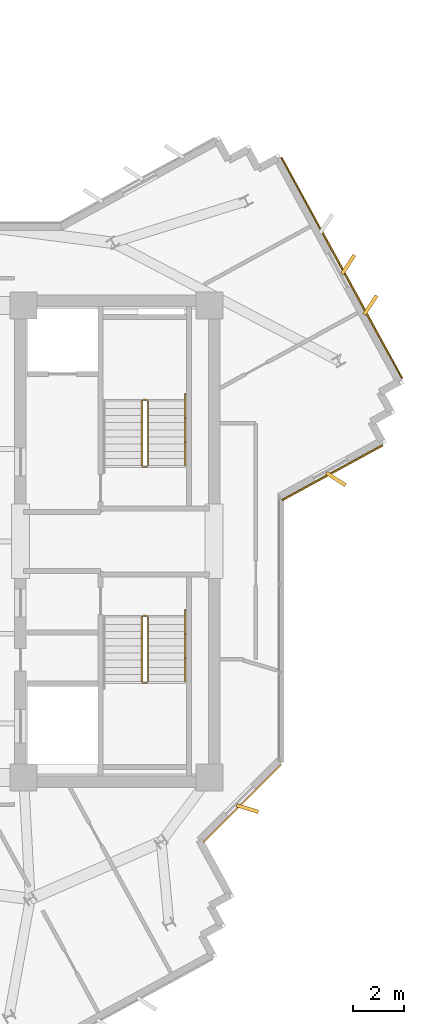
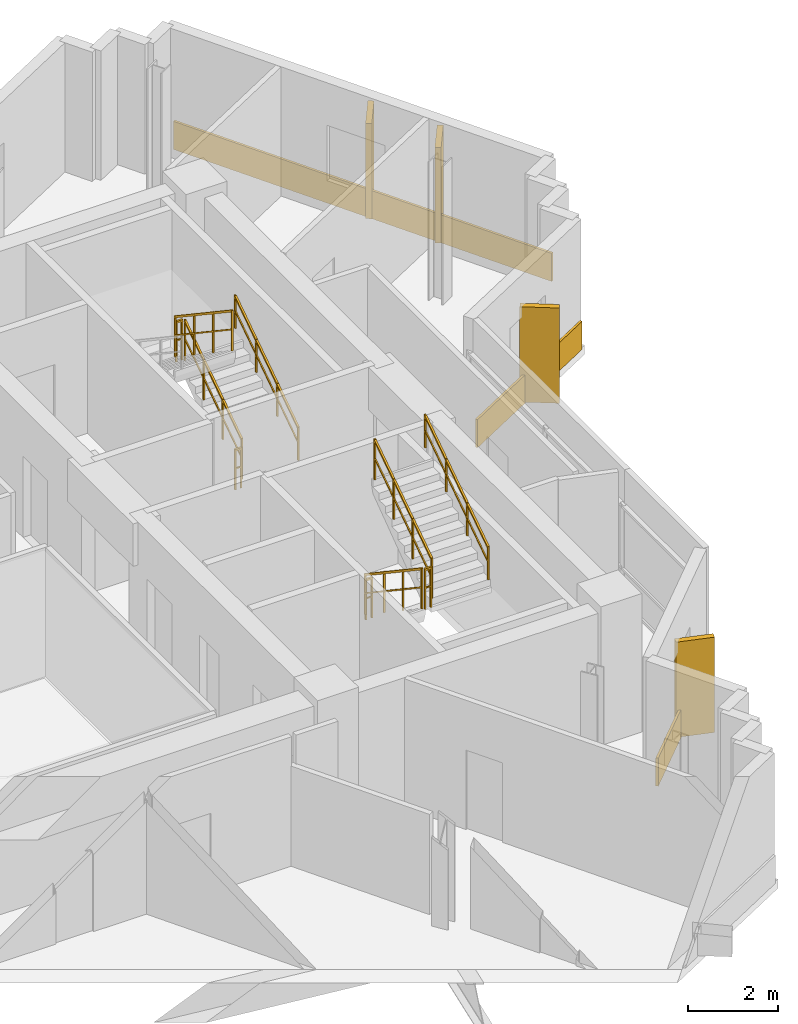
# One storey, part 12 of 13: 10 railings, 7 coverings.
"""IFC4 building model written with IfcOpenShell, lengths in metres."""

import ifcopenshell
import ifcopenshell.guid

model = None  # the IFC model being written
_history = None  # IfcOwnerHistory: only IFC2X3 demands one
_inside = {}  # id of a spatial element -> (the spatial element, [elements in it])
_under = {}  # id of a project, library or spatial element -> (it, [spatial elements below it])
_declared = {}  # id of a project -> (the project, [libraries it declares])
_typed = {}  # id of a type object -> (the type object, [elements of that type])
_made_of = {}  # id of a material, layer set ... -> (it, [elements and type objects made of it])


def new_model(schema):
    """Start an empty IFC model of exactly this schema.

    Asked for "IFC4X3", IfcOpenShell would pick the latest addendum, in which some entities
    have other attributes; the version numbers below select the first issue.
    IFC2X3 requires an IfcOwnerHistory on every rooted entity: one is made here for all.
    """
    global model, _history
    if schema == "IFC4X3":
        model = ifcopenshell.file(schema_version=(4, 3, 0, 0))
    else:
        model = ifcopenshell.file(schema=schema)
    _inside.clear()
    _under.clear()
    _declared.clear()
    _typed.clear()
    _made_of.clear()
    _history = None
    if model.schema == "IFC2X3":
        org = make("IfcOrganization", Name="unknown")
        user = make(
            "IfcPersonAndOrganization",
            ThePerson=make("IfcPerson", FamilyName="unknown"),
            TheOrganization=org,
        )
        app = make(
            "IfcApplication",
            ApplicationDeveloper=org,
            Version="unknown",
            ApplicationFullName="unknown",
            ApplicationIdentifier="unknown",
        )
        _history = make(
            "IfcOwnerHistory",
            OwningUser=user,
            OwningApplication=app,
            ChangeAction="ADDED",
            CreationDate=0,
        )
    return model


def make(cls, **values):
    """One entity of the class cls with the attributes given. An attribute that is None is left unset."""
    return model.create_entity(
        cls, **{name: value for name, value in values.items() if value is not None}
    )


def rooted(cls, **values):
    """An entity with a GlobalId (a new one), such as an element, a storey or a relation."""
    return make(cls, GlobalId=ifcopenshell.guid.new(), OwnerHistory=_history, **values)


def si_unit(unit_type, name, prefix=None):
    """IfcSIUnit, for example si_unit("LENGTHUNIT", "METRE", prefix="MILLI")."""
    return make("IfcSIUnit", UnitType=unit_type, Prefix=prefix, Name=name)


def assignment(units):
    """IfcUnitAssignment: the units of a project."""
    return None if units is None else make("IfcUnitAssignment", Units=units)


def point(xyz):
    """IfcCartesianPoint."""
    return None if xyz is None else make("IfcCartesianPoint", Coordinates=xyz)


def direction(xyz):
    """IfcDirection."""
    return None if xyz is None else make("IfcDirection", DirectionRatios=xyz)


def frame(location, z_axis=None, x_axis=None):
    """IfcAxis2Placement3D, a coordinate frame: its origin and axes. An axis left out is left unset."""
    return make(
        "IfcAxis2Placement3D",
        Location=point(location),
        Axis=direction(z_axis),
        RefDirection=direction(x_axis),
    )


def frame_2d(location, x_axis=None):
    """IfcAxis2Placement2D, a coordinate frame in the plane: its origin and x axis."""
    return make(
        "IfcAxis2Placement2D", Location=point(location), RefDirection=direction(x_axis)
    )


def origin():
    """The frame at (0, 0, 0) with its axes left unset."""
    return frame((0.0, 0.0, 0.0))


def origin_2d():
    """The frame at (0, 0) in the plane with its x axis left unset."""
    return frame_2d((0.0, 0.0))


def place(relative_to, where):
    """IfcLocalPlacement: puts the frame where relative to a parent placement (None: the world)."""
    return make(
        "IfcLocalPlacement", PlacementRelTo=relative_to, RelativePlacement=where
    )


def context(
    kind, dimensions, precision=None, world=None, true_north=None, identifier=None
):
    """IfcGeometricRepresentationContext, for example the 3D "Model" context."""
    return make(
        "IfcGeometricRepresentationContext",
        ContextIdentifier=identifier,
        ContextType=kind,
        CoordinateSpaceDimension=dimensions,
        Precision=precision,
        WorldCoordinateSystem=world,
        TrueNorth=true_north,
    )


def subcontext(parent, identifier, kind, view, scale=None):
    """IfcGeometricRepresentationSubContext, for example "Body" below "Model"."""
    return make(
        "IfcGeometricRepresentationSubContext",
        ContextIdentifier=identifier,
        ContextType=kind,
        ParentContext=parent,
        TargetScale=scale,
        TargetView=view,
    )


def project(units=None, contexts=None):
    """IfcProject with its units and contexts."""
    return rooted(
        "IfcProject",
        Name="project",
        RepresentationContexts=contexts,
        UnitsInContext=assignment(units),
    )


def spatial(cls, under=None, at=None, **own):
    """A site, building, storey or space (cls), placed at a placement, below another one or the project."""
    s = rooted(cls, ObjectPlacement=at, **own)
    if under is not None:
        _under.setdefault(under.id(), (under, []))[1].append(s)
    return s


def profile(cls, at=None, kind="AREA", **sizes):
    """A parametric profile (cls). Its sizes go by their IFC names, for example OverallWidth=200.0."""
    return make(cls, ProfileType=kind, Position=at, **sizes)


def rectangle(**sizes):
    """IfcRectangleProfileDef."""
    return profile("IfcRectangleProfileDef", **sizes)


def extrude(swept, where, along, depth):
    """IfcExtrudedAreaSolid: the profile swept, set in the frame where, extruded along a direction by depth."""
    return make(
        "IfcExtrudedAreaSolid",
        SweptArea=swept,
        Position=where,
        ExtrudedDirection=direction(along),
        Depth=depth,
    )


def shape(context_of_items, identifier, shape_type, items):
    """IfcShapeRepresentation: the items that make up one representation, for example the "Body"."""
    return make(
        "IfcShapeRepresentation",
        ContextOfItems=context_of_items,
        RepresentationIdentifier=identifier,
        RepresentationType=shape_type,
        Items=items,
    )


def source(mapping_origin, context_of_items, identifier, shape_type, items):
    """IfcRepresentationMap: a shape defined once, which mapped items show again and again."""
    return make(
        "IfcRepresentationMap",
        MappingOrigin=mapping_origin,
        MappedRepresentation=shape(context_of_items, identifier, shape_type, items),
    )


def transform(
    local_origin,
    x_axis=None,
    y_axis=None,
    z_axis=None,
    scale=None,
    scale2=None,
    scale3=None,
    uniform=True,
):
    """IfcCartesianTransformationOperator3D, or its non-uniform kind. x_axis, y_axis, z_axis: its Axis1, 2, 3."""
    if uniform:
        return make(
            "IfcCartesianTransformationOperator3D",
            Axis1=direction(x_axis),
            Axis2=direction(y_axis),
            LocalOrigin=point(local_origin),
            Scale=scale,
            Axis3=direction(z_axis),
        )
    return make(
        "IfcCartesianTransformationOperator3DnonUniform",
        Axis1=direction(x_axis),
        Axis2=direction(y_axis),
        LocalOrigin=point(local_origin),
        Scale=scale,
        Axis3=direction(z_axis),
        Scale2=scale2,
        Scale3=scale3,
    )


def mapped(mapping_source, mapping_target):
    """IfcMappedItem: shows the shape of a source again, moved by a transform."""
    return make(
        "IfcMappedItem", MappingSource=mapping_source, MappingTarget=mapping_target
    )


def material(Name=None, Category=None):
    """IfcMaterial."""
    return make("IfcMaterial", Name=Name, Category=Category)


def layer(
    of_material, thickness, ventilated=None, Name=None, Category=None, Priority=None
):
    """IfcMaterialLayer: one layer of a wall or slab, of a material (None: an air gap)."""
    return make(
        "IfcMaterialLayer",
        Material=of_material,
        LayerThickness=thickness,
        IsVentilated=ventilated,
        Name=Name,
        Category=Category,
        Priority=Priority,
    )


def layer_set(layers, Name=None):
    """IfcMaterialLayerSet."""
    return make("IfcMaterialLayerSet", MaterialLayers=layers, LayerSetName=Name)


def made_of(thing, what):
    """Note that an element or type object is made of a material, layer set ...; save() writes the relation."""
    if what is not None:
        _made_of.setdefault(what.id(), (what, []))[1].append(thing)
    return thing


def type_object(cls, material=None, **own):
    """A type object (cls), such as IfcWallType, which elements share."""
    return made_of(rooted(cls, **own), material)


def element(
    cls,
    number,
    at=None,
    inside=None,
    cuts=None,
    type_object=None,
    material=None,
    context=None,
    identifier="Body",
    shape_type=None,
    held_by="IfcProductDefinitionShape",
    body=None,
    shapes=None,
    **own,
):
    """One element of the class cls, such as IfcWall. Its Tag is "e" and its number.

    at: its placement. inside: the storey or other place that contains it. cuts: it is an
    opening in that element (IfcRelVoidsElement). A single representation is given by context,
    identifier, shape_type and body (its items); several are given by shapes. held_by: the class
    of the entity that holds the representations. save() writes the other relations.
    """
    e = rooted(cls, Tag="e%d" % number, ObjectPlacement=at, **own)
    if body is not None:
        shapes = [shape(context, identifier, shape_type, body)]
    if shapes is not None:
        e.Representation = make(held_by, Representations=shapes)
    if inside is not None:
        _inside.setdefault(inside.id(), (inside, []))[1].append(e)
    if cuts is not None:
        rooted(
            "IfcRelVoidsElement", RelatingBuildingElement=cuts, RelatedOpeningElement=e
        )
    if type_object is not None:
        _typed.setdefault(type_object.id(), (type_object, []))[1].append(e)
    return made_of(e, material)


def aggregate(whole, parts):
    """IfcRelAggregates: a whole, such as a stair, and the parts it consists of."""
    return rooted("IfcRelAggregates", RelatingObject=whole, RelatedObjects=parts)


def save(model, path):
    """Write the relations noted so far, then the file.

    IfcRelAggregates (storeys below a building ...), IfcRelContainedInSpatialStructure (elements
    in a storey), IfcRelDefinesByType, IfcRelAssociatesMaterial and IfcRelDeclares: one each for
    every whole, place, type object, material and project.
    """
    for whole, parts in _under.values():
        aggregate(whole, parts)
    for where, things in _inside.values():
        rooted(
            "IfcRelContainedInSpatialStructure",
            RelatedElements=things,
            RelatingStructure=where,
        )
    for kind, things in _typed.values():
        rooted("IfcRelDefinesByType", RelatedObjects=things, RelatingType=kind)
    for what, things in _made_of.values():
        rooted("IfcRelAssociatesMaterial", RelatedObjects=things, RelatingMaterial=what)
    for by, libraries in _declared.values():
        rooted("IfcRelDeclares", RelatingContext=by, RelatedDefinitions=libraries)
    model.write(path)


model = new_model("IFC4")

# Units and contexts
model_context = context("Model", 3, precision=1e-05, world=origin(), true_north=direction((0.0, 1.0)))
body_context = subcontext(model_context, "Body", "Model", "MODEL_VIEW")
ifc_project = project(units=[si_unit("LENGTHUNIT", "METRE"), si_unit("AREAUNIT", "SQUARE_METRE"), si_unit("VOLUMEUNIT", "CUBIC_METRE"), si_unit("PLANEANGLEUNIT", "RADIAN"), si_unit("MASSUNIT", "GRAM", prefix="KILO")], contexts=[model_context])

# Site, building, storey
site_placement = place(None, origin())
site = spatial("IfcSite", under=ifc_project, at=site_placement, CompositionType="ELEMENT")
building_placement = place(site_placement, origin())
building = spatial("IfcBuilding", under=site, at=building_placement, Name="Zahravan Cultural Tower", CompositionType="ELEMENT")
storey_placement = place(building_placement, frame((0.0, 0.0, 250.35009765625)))
storey = spatial("IfcBuildingStorey", under=building, at=storey_placement, Name="L59", CompositionType="ELEMENT", Elevation=250.35009765625)

# Railings
ifc_material_1 = material(Name="Steel ASTM A572 Grade 50", Category="steel")
railing_type_1 = type_object("IfcRailingType", Name="RL-STAIR-GRD1150", PredefinedType="BALUSTRADE", material=ifc_material_1)
railing_1_placement = place(storey_placement, frame((47.949951171875, 29.949951171875, 0.1875)))
element("IfcRailing", 1, at=railing_1_placement, inside=storey, type_object=railing_type_1, Name="L59 ST-E1 stair guard 1", PredefinedType="BALUSTRADE", context=body_context, shape_type="SweptSolid", body=[
    extrude(rectangle(XDim=0.05, YDim=0.05, at=origin_2d()), frame((0.0, 0.0, 1.0751953125), z_axis=(0.0, 0.830909170722, 0.55640807867), x_axis=(-1.0, 0.0, 0.0)), (0.0, 0.0, 1.0), 3.032958984375),
    extrude(rectangle(XDim=0.032, YDim=0.032, at=origin_2d()), frame((0.0, 0.0, 0.572021484375), z_axis=(0.0, 0.830909170722, 0.55640807867), x_axis=(-1.0, 0.0, 0.0)), (0.0, 0.0, 1.0), 3.032958984375),
    extrude(rectangle(XDim=0.04, YDim=0.04, at=origin_2d()), origin(), (0.0, 0.0, 1.0), 1.10009765625),
    extrude(rectangle(XDim=0.04, YDim=0.04, at=origin_2d()), frame((0.0, 0.840087890625, 0.5625)), (0.0, 0.0, 1.0), 1.10009765625),
    extrude(rectangle(XDim=0.04, YDim=0.04, at=origin_2d()), frame((0.0, 1.679931640625, 1.125)), (0.0, 0.0, 1.0), 1.10009765625),
    extrude(rectangle(XDim=0.04, YDim=0.04, at=origin_2d()), frame((0.0, 2.52001953125, 1.6875)), (0.0, 0.0, 1.0), 1.10009765625),
])
railing_2_placement = place(storey_placement, frame((47.89990234375, 32.52001953125, 1.875)))
element("IfcRailing", 2, at=railing_2_placement, inside=storey, type_object=railing_type_1, Name="L59 ST-E1 stair guard 2", PredefinedType="BALUSTRADE", context=body_context, shape_type="SweptSolid", body=[
    extrude(rectangle(XDim=0.05, YDim=0.05, at=origin_2d()), frame((0.0, 0.0, 1.0751953125), z_axis=(-1.0, 0.0, 0.0), x_axis=(0.0, -1.0, 0.0)), (0.0, 0.0, 1.0), 0.14990234375),
    extrude(rectangle(XDim=0.032, YDim=0.032, at=origin_2d()), frame((0.0, 0.0, 0.572021484375), z_axis=(-1.0, 0.0, 0.0), x_axis=(0.0, -1.0, 0.0)), (0.0, 0.0, 1.0), 0.14990234375),
    extrude(rectangle(XDim=0.04, YDim=0.04, at=origin_2d()), origin(), (0.0, 0.0, 1.0), 1.10009765625),
    extrude(rectangle(XDim=0.04, YDim=0.04, at=origin_2d()), frame((-0.14990234375, 0.0, 0.0)), (0.0, 0.0, 1.0), 1.10009765625),
])
railing_3_placement = place(storey_placement, frame((47.699951171875, 32.469970703125, 2.0625)))
element("IfcRailing", 3, at=railing_3_placement, inside=storey, type_object=railing_type_1, Name="L59 ST-E1 stair guard 3", PredefinedType="BALUSTRADE", context=body_context, shape_type="SweptSolid", body=[
    extrude(rectangle(XDim=0.05, YDim=0.05, at=origin_2d()), frame((0.0, 0.0, 1.0751953125), z_axis=(0.0, -0.830909170722, 0.55640807867), x_axis=(1.0, 0.0, 0.0)), (0.0, 0.0, 1.0), 3.032958984375),
    extrude(rectangle(XDim=0.032, YDim=0.032, at=origin_2d()), frame((0.0, 0.0, 0.572021484375), z_axis=(0.0, -0.830909170722, 0.55640807867), x_axis=(1.0, 0.0, 0.0)), (0.0, 0.0, 1.0), 3.032958984375),
    extrude(rectangle(XDim=0.04, YDim=0.04, at=origin_2d()), origin(), (0.0, 0.0, 1.0), 1.10009765625),
    extrude(rectangle(XDim=0.04, YDim=0.04, at=origin_2d()), frame((0.0, -0.840087890625, 0.5625)), (0.0, 0.0, 1.0), 1.10009765625),
    extrude(rectangle(XDim=0.04, YDim=0.04, at=origin_2d()), frame((0.0, -1.679931640625, 1.125)), (0.0, 0.0, 1.0), 1.10009765625),
    extrude(rectangle(XDim=0.04, YDim=0.04, at=origin_2d()), frame((0.0, -2.52001953125, 1.6875)), (0.0, 0.0, 1.0), 1.10009765625),
])
railing_4_placement = place(storey_placement, frame((47.89990234375, 29.89990234375, 0.0)))
element("IfcRailing", 4, at=railing_4_placement, inside=storey, type_object=railing_type_1, Name="L59 ST-E1 stair guard 4", PredefinedType="BALUSTRADE", context=body_context, shape_type="SweptSolid", body=[
    extrude(rectangle(XDim=0.05, YDim=0.05, at=origin_2d()), frame((0.0, 0.0, 1.0751953125), z_axis=(-1.0, 0.0, 0.0), x_axis=(0.0, -1.0, 0.0)), (0.0, 0.0, 1.0), 0.14990234375),
    extrude(rectangle(XDim=0.032, YDim=0.032, at=origin_2d()), frame((0.0, 0.0, 0.572021484375), z_axis=(-1.0, 0.0, 0.0), x_axis=(0.0, -1.0, 0.0)), (0.0, 0.0, 1.0), 0.14990234375),
    extrude(rectangle(XDim=0.04, YDim=0.04, at=origin_2d()), origin(), (0.0, 0.0, 1.0), 1.10009765625),
    extrude(rectangle(XDim=0.04, YDim=0.04, at=origin_2d()), frame((-0.14990234375, 0.0, 0.0)), (0.0, 0.0, 1.0), 1.10009765625),
])
railing_5_placement = place(storey_placement, frame((47.699951171875, 24.050048828125, 0.1875)))
element("IfcRailing", 5, at=railing_5_placement, inside=storey, type_object=railing_type_1, Name="L59 ST-E2 stair guard 1", PredefinedType="BALUSTRADE", context=body_context, shape_type="SweptSolid", body=[
    extrude(rectangle(XDim=0.05, YDim=0.05, at=origin_2d()), frame((0.0, 0.0, 1.0751953125), z_axis=(0.0, -0.830909170722, 0.55640807867), x_axis=(1.0, 0.0, 0.0)), (0.0, 0.0, 1.0), 3.032958984375),
    extrude(rectangle(XDim=0.032, YDim=0.032, at=origin_2d()), frame((0.0, 0.0, 0.572021484375), z_axis=(0.0, -0.830909170722, 0.55640807867), x_axis=(1.0, 0.0, 0.0)), (0.0, 0.0, 1.0), 3.032958984375),
    extrude(rectangle(XDim=0.04, YDim=0.04, at=origin_2d()), origin(), (0.0, 0.0, 1.0), 1.10009765625),
    extrude(rectangle(XDim=0.04, YDim=0.04, at=origin_2d()), frame((0.0, -0.840087890625, 0.5625)), (0.0, 0.0, 1.0), 1.10009765625),
    extrude(rectangle(XDim=0.04, YDim=0.04, at=origin_2d()), frame((0.0, -1.679931640625, 1.125)), (0.0, 0.0, 1.0), 1.10009765625),
    extrude(rectangle(XDim=0.04, YDim=0.04, at=origin_2d()), frame((0.0, -2.52001953125, 1.6875)), (0.0, 0.0, 1.0), 1.10009765625),
])
railing_6_placement = place(storey_placement, frame((47.75, 21.47998046875, 1.875)))
element("IfcRailing", 6, at=railing_6_placement, inside=storey, type_object=railing_type_1, Name="L59 ST-E2 stair guard 2", PredefinedType="BALUSTRADE", context=body_context, shape_type="SweptSolid", body=[
    extrude(rectangle(XDim=0.05, YDim=0.05, at=origin_2d()), frame((0.0, 0.0, 1.0751953125), z_axis=(1.0, 0.0, 0.0), x_axis=(0.0, 1.0, 0.0)), (0.0, 0.0, 1.0), 0.14990234375),
    extrude(rectangle(XDim=0.032, YDim=0.032, at=origin_2d()), frame((0.0, 0.0, 0.572021484375), z_axis=(1.0, 0.0, 0.0), x_axis=(0.0, 1.0, 0.0)), (0.0, 0.0, 1.0), 0.14990234375),
    extrude(rectangle(XDim=0.04, YDim=0.04, at=origin_2d()), origin(), (0.0, 0.0, 1.0), 1.10009765625),
    extrude(rectangle(XDim=0.04, YDim=0.04, at=origin_2d()), frame((0.14990234375, 0.0, 0.0)), (0.0, 0.0, 1.0), 1.10009765625),
])
railing_7_placement = place(storey_placement, frame((47.949951171875, 21.530029296875, 2.0625)))
element("IfcRailing", 7, at=railing_7_placement, inside=storey, type_object=railing_type_1, Name="L59 ST-E2 stair guard 3", PredefinedType="BALUSTRADE", context=body_context, shape_type="SweptSolid", body=[
    extrude(rectangle(XDim=0.05, YDim=0.05, at=origin_2d()), frame((0.0, 0.0, 1.0751953125), z_axis=(0.0, 0.830909170722, 0.55640807867), x_axis=(-1.0, 0.0, 0.0)), (0.0, 0.0, 1.0), 3.032958984375),
    extrude(rectangle(XDim=0.032, YDim=0.032, at=origin_2d()), frame((0.0, 0.0, 0.572021484375), z_axis=(0.0, 0.830909170722, 0.55640807867), x_axis=(-1.0, 0.0, 0.0)), (0.0, 0.0, 1.0), 3.032958984375),
    extrude(rectangle(XDim=0.04, YDim=0.04, at=origin_2d()), origin(), (0.0, 0.0, 1.0), 1.10009765625),
    extrude(rectangle(XDim=0.04, YDim=0.04, at=origin_2d()), frame((0.0, 0.840087890625, 0.5625)), (0.0, 0.0, 1.0), 1.10009765625),
    extrude(rectangle(XDim=0.04, YDim=0.04, at=origin_2d()), frame((0.0, 1.679931640625, 1.125)), (0.0, 0.0, 1.0), 1.10009765625),
    extrude(rectangle(XDim=0.04, YDim=0.04, at=origin_2d()), frame((0.0, 2.52001953125, 1.6875)), (0.0, 0.0, 1.0), 1.10009765625),
])
railing_8_placement = place(storey_placement, frame((47.75, 24.10009765625, 0.0)))
element("IfcRailing", 8, at=railing_8_placement, inside=storey, type_object=railing_type_1, Name="L59 ST-E2 stair guard 4", PredefinedType="BALUSTRADE", context=body_context, shape_type="SweptSolid", body=[
    extrude(rectangle(XDim=0.05, YDim=0.05, at=origin_2d()), frame((0.0, 0.0, 1.0751953125), z_axis=(1.0, 0.0, 0.0), x_axis=(0.0, 1.0, 0.0)), (0.0, 0.0, 1.0), 0.14990234375),
    extrude(rectangle(XDim=0.032, YDim=0.032, at=origin_2d()), frame((0.0, 0.0, 0.572021484375), z_axis=(1.0, 0.0, 0.0), x_axis=(0.0, 1.0, 0.0)), (0.0, 0.0, 1.0), 0.14990234375),
    extrude(rectangle(XDim=0.04, YDim=0.04, at=origin_2d()), origin(), (0.0, 0.0, 1.0), 1.10009765625),
    extrude(rectangle(XDim=0.04, YDim=0.04, at=origin_2d()), frame((0.14990234375, 0.0, 0.0)), (0.0, 0.0, 1.0), 1.10009765625),
])
railing_type_2 = type_object("IfcRailingType", Name="RL-STAIR-HR900", PredefinedType="HANDRAIL", material=ifc_material_1)
for number, where, name in (
    (9, (49.39990234375, 29.949951171875, 0.1875), "L59 ST-E1 stair handrail 1"),
    (10, (49.39990234375, 21.530029296875, 2.0625), "L59 ST-E2 stair handrail 2"),
):
    element("IfcRailing", number, at=place(storey_placement, frame(where)), inside=storey, type_object=railing_type_2, Name=name, PredefinedType="HANDRAIL", context=body_context, shape_type="SweptSolid", body=[
        extrude(rectangle(XDim=0.05, YDim=0.05, at=origin_2d()), frame((0.0, 0.0, 0.875), z_axis=(0.0, 0.830911662861, 0.55640435703), x_axis=(-1.0, 0.0, 0.0)), (0.0, 0.0, 1.0), 3.369873046875),
        extrude(rectangle(XDim=0.032, YDim=0.032, at=origin_2d()), frame((0.0, 0.0, 0.468017578125), z_axis=(0.0, 0.830911662861, 0.55640435703), x_axis=(-1.0, 0.0, 0.0)), (0.0, 0.0, 1.0), 3.369873046875),
        extrude(rectangle(XDim=0.04, YDim=0.04, at=origin_2d()), origin(), (0.0, 0.0, 1.0), 0.89990234375),
        extrude(rectangle(XDim=0.04, YDim=0.04, at=origin_2d()), frame((0.0, 0.933349609375, 0.625)), (0.0, 0.0, 1.0), 0.89990234375),
        extrude(rectangle(XDim=0.04, YDim=0.04, at=origin_2d()), frame((0.0, 1.86669921875, 1.25)), (0.0, 0.0, 1.0), 0.89990234375),
        extrude(rectangle(XDim=0.04, YDim=0.04, at=origin_2d()), frame((0.0, 2.800048828125, 1.875)), (0.0, 0.0, 1.0), 0.89990234375),
    ])

# Coverings
ifc_material_2 = material(Name="Terracotta ceramic cladding", Category="masonry")
ifc_layer = layer(ifc_material_2, 0.06005859375)
ifc_layer_set = layer_set([ifc_layer], Name="Terracotta ceramic cladding")
covering_type = type_object("IfcCoveringType", Name="COV-CLAD-TC60", PredefinedType="CLADDING", material=ifc_layer_set)
shared_shape_1 = source(origin(), body_context, "Body", "SweptSolid", [
    extrude(rectangle(XDim=9.820068359375, YDim=0.06005859375, at=origin_2d()), origin(), (0.0, 0.0, 1.0), 0.760009765625),
])
covering_1_placement = place(storey_placement, frame((55.50390625, 37.656005859375, 0.02001953125), z_axis=(0.0, 0.0, 1.0), x_axis=(0.479457860256, -0.877564903719, 0.0)))
element("IfcCovering", 11, at=covering_1_placement, inside=storey, type_object=covering_type, Name="L59 Terracotta Spandrel Cladding 06", PredefinedType="CLADDING", context=body_context, shape_type="MappedRepresentation", body=[
    mapped(shared_shape_1, transform((0.0, 0.0, 0.0), x_axis=(1.0, 0.0, 0.0), y_axis=(0.0, 1.0, 0.0), z_axis=(0.0, 0.0, 1.0), scale=1.0)),
])
shared_shape_2 = source(origin(), body_context, "Body", "SweptSolid", [
    extrude(rectangle(XDim=0.8798828125, YDim=0.139892578125, at=origin_2d()), origin(), (0.0, 0.0, 1.0), 2.580078125),
])
for number, where, z_axis, x_axis, name in (
    (12, (55.75390625, 37.79248046875, 0.0498046875), (0.0, 0.0, 1.0), (0.549751988372, 0.835327930385, 0.0), "L59 Herringbone Terracotta Fin 05"),
    (13, (56.616943359375, 36.212890625, 0.0498046875), (0.0, 0.0, 1.0), (0.549751988372, 0.835327930385, 0.0), "L59 Herringbone Terracotta Fin 06"),
    (14, (55.27587890625, 29.429443359375, 0.0498046875), (0.0, 0.0, 1.0), (0.835327930385, -0.549751988372, 0.0), "L59 Herringbone Terracotta Fin 07"),
    (15, (51.824951171875, 16.58642578125, 0.0498046875), (0.0, 0.0, 1.0), (0.956304755963, -0.292371704723, 0.0), "L59 Herringbone Terracotta Fin 08"),
):
    element("IfcCovering", number, at=place(storey_placement, frame(where, z_axis=z_axis, x_axis=x_axis)), inside=storey, type_object=covering_type, Name=name, PredefinedType="CLADDING", context=body_context, shape_type="MappedRepresentation", body=[
        mapped(shared_shape_2, transform((0.0, 0.0, 0.0), x_axis=(1.0, 0.0, 0.0), y_axis=(0.0, 1.0, 0.0), z_axis=(0.0, 0.0, 1.0), scale=1.0)),
    ])
shared_shape_3 = source(origin(), body_context, "Body", "SweptSolid", [
    extrude(rectangle(XDim=4.45849609375, YDim=0.06005859375, at=origin_2d()), origin(), (0.0, 0.0, 1.0), 0.760009765625),
])
covering_2_placement = place(storey_placement, frame((55.139404296875, 29.679443359375, 0.02001953125), z_axis=(0.0, 0.0, 1.0), x_axis=(-0.877564903719, -0.479457860256, 0.0)))
element("IfcCovering", 16, at=covering_2_placement, inside=storey, type_object=covering_type, Name="L59 Terracotta Spandrel Cladding 11", PredefinedType="CLADDING", context=body_context, shape_type="MappedRepresentation", body=[
    mapped(shared_shape_3, transform((0.0, 0.0, 0.0), x_axis=(1.0, 0.0, 0.0), y_axis=(0.0, 1.0, 0.0), z_axis=(0.0, 0.0, 1.0), scale=1.0)),
])
shared_shape_4 = source(origin(), body_context, "Body", "SweptSolid", [
    extrude(rectangle(XDim=4.29345703125, YDim=0.06005859375, at=origin_2d()), origin(), (0.0, 0.0, 1.0), 0.760009765625),
])
covering_3_placement = place(storey_placement, frame((51.623291015625, 16.7880859375, 0.02001953125), z_axis=(0.0, 0.0, 1.0), x_axis=(-0.707106781187, -0.707106781187, 0.0)))
element("IfcCovering", 17, at=covering_3_placement, inside=storey, type_object=covering_type, Name="L59 Terracotta Spandrel Cladding 12", PredefinedType="CLADDING", context=body_context, shape_type="MappedRepresentation", body=[
    mapped(shared_shape_4, transform((0.0, 0.0, 0.0), x_axis=(1.0, 0.0, 0.0), y_axis=(0.0, 1.0, 0.0), z_axis=(0.0, 0.0, 1.0), scale=1.0)),
])

save(model, "model.ifc")
